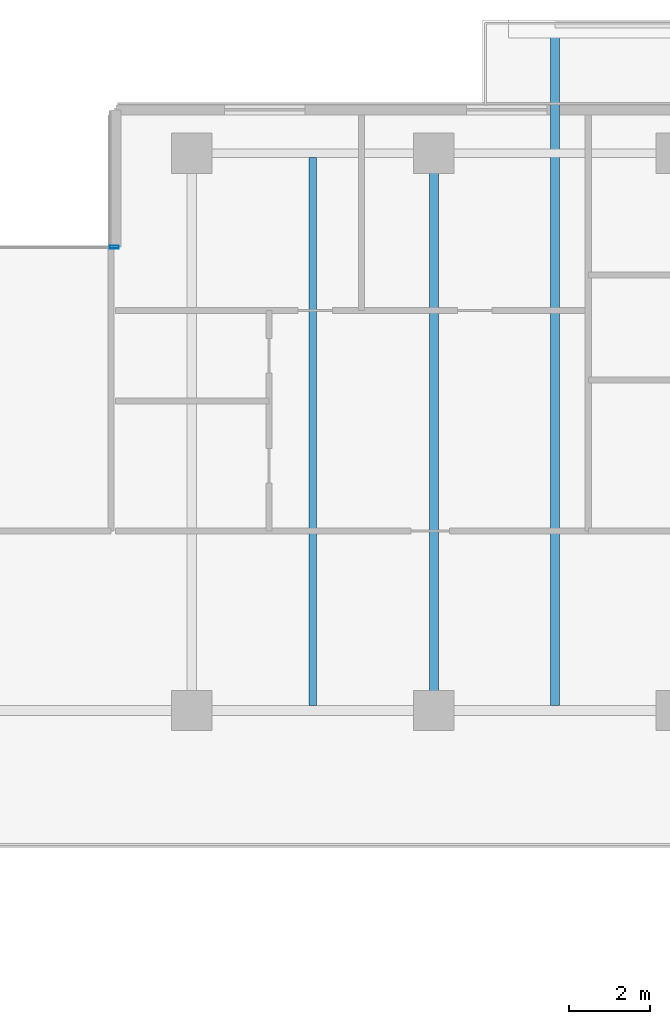
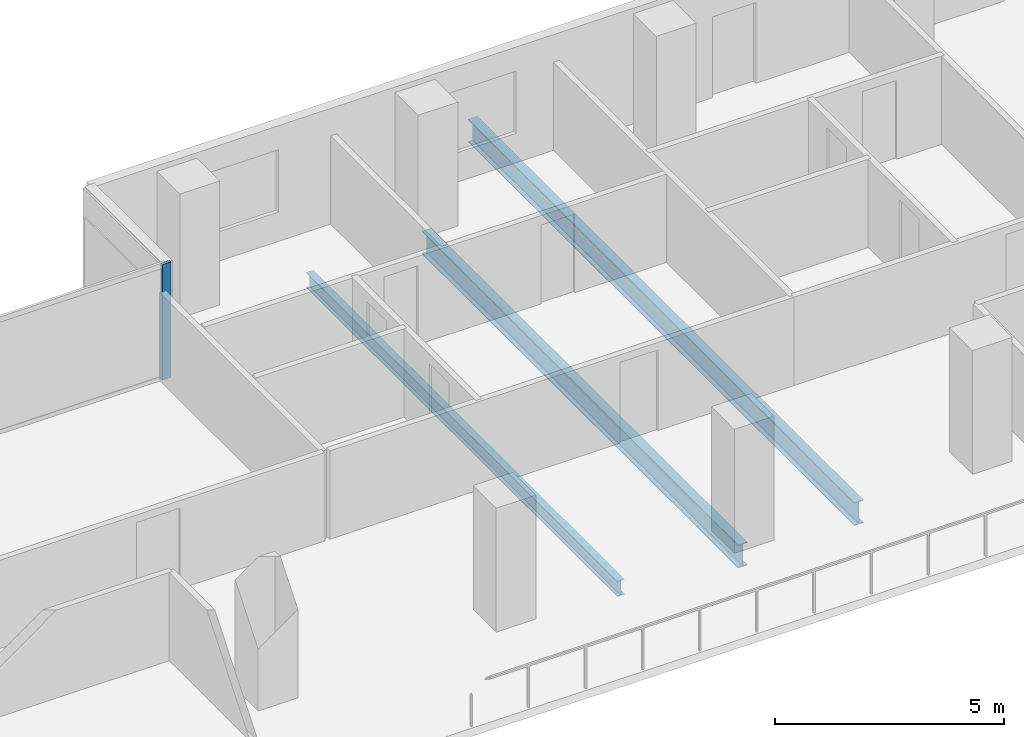
# One storey, part 8 of 23: 3 beams, 1 member, 1 element without a shape of its own.
"""IFC4 building model written with IfcOpenShell, lengths in metres."""

from ifc_helpers import new_model, si_unit, direction, frame, origin, origin_2d, place, context, subcontext, project, spatial, hollow_rectangle, i_section, extrude, material, layer, layer_set, material_profile, profile_set, type_object, element, aggregate, save


model = new_model("IFC4")

# Units and contexts
model_context = context("Model", 3, precision=1e-05, world=origin(), true_north=direction((0.0, 1.0)))
body_context = subcontext(model_context, "Body", "Model", "MODEL_VIEW")
ifc_project = project(units=[si_unit("LENGTHUNIT", "METRE"), si_unit("AREAUNIT", "SQUARE_METRE"), si_unit("VOLUMEUNIT", "CUBIC_METRE"), si_unit("PLANEANGLEUNIT", "RADIAN"), si_unit("MASSUNIT", "GRAM", prefix="KILO")], contexts=[model_context])

# Site, building, storey
site_placement = place(None, origin())
site = spatial("IfcSite", under=ifc_project, at=site_placement, CompositionType="ELEMENT")
building_placement = place(site_placement, origin())
building = spatial("IfcBuilding", under=site, at=building_placement, Name="Tanjung Sevakor Pilgrim Tower", CompositionType="ELEMENT")
storey_placement = place(building_placement, frame((0.0, 0.0, 88.77001953125)))
storey = spatial("IfcBuildingStorey", under=building, at=storey_placement, Name="L24", CompositionType="ELEMENT", Elevation=88.77001953125)

# Beams
ifc_material_1 = material(Name="Steel S355J2", Category="steel")
ifc_material_profile_1 = material_profile(ifc_material_1, i_section(OverallWidth=0.230224609375, OverallDepth=0.6171875, WebThickness=0.01318359375, FlangeThickness=0.022216796875, FilletRadius=0.0126953125, at=origin_2d()))
ifc_profile_set_1 = profile_set([ifc_material_profile_1], Name="Steel S355J2")
beam_type_1 = type_object("IfcBeamType", Name="BM-B-G3-UB_610x229x140", PredefinedType="BEAM", material=ifc_profile_set_1)
beam_1_placement = place(storey_placement, frame((60.0, 42.60009765625, -0.528564453125), z_axis=(0.0, 1.0, 0.0), x_axis=(-1.0, 0.0, 0.0)))
element("IfcBeam", 1, at=beam_1_placement, inside=storey, type_object=beam_type_1, Name="L24 MAIN Girder 017", PredefinedType="BEAM", context=body_context, shape_type="SweptSolid", body=[
    extrude(i_section(OverallWidth=0.230224609375, OverallDepth=0.6171875, WebThickness=0.01318359375, FlangeThickness=0.022216796875, FilletRadius=0.0126953125, at=origin_2d()), origin(), (0.0, 0.0, 1.0), 13.7998046875),
])
ifc_material_2 = material(Name="Steel S355J2", Category="steel")
ifc_material_profile_2 = material_profile(ifc_material_2, i_section(OverallWidth=0.22900390625, OverallDepth=0.6123046875, WebThickness=0.011962890625, FlangeThickness=0.01953125, FilletRadius=0.0126953125, at=origin_2d()))
ifc_profile_set_2 = profile_set([ifc_material_profile_2], Name="Steel S355J2")
beam_type_2 = type_object("IfcBeamType", Name="BM-B-G4-UB_610x229x125", PredefinedType="BEAM", material=ifc_profile_set_2)
beam_2_placement = place(storey_placement, frame((63.0, 42.727294921875, -0.526123046875), z_axis=(0.0, 1.0, 0.0), x_axis=(-1.0, 0.0, 0.0)))
element("IfcBeam", 2, at=beam_2_placement, inside=storey, type_object=beam_type_2, Name="L24 Balcony Cantilever Beam MAIN-N2-1", PredefinedType="BEAM", context=body_context, shape_type="SweptSolid", body=[
    extrude(i_section(OverallWidth=0.22900390625, OverallDepth=0.6123046875, WebThickness=0.011962890625, FlangeThickness=0.01953125, FilletRadius=0.0126953125, at=origin_2d()), origin(), (0.0, 0.0, 1.0), 16.852783203125),
])
ifc_material_3 = material(Name="Steel S355J2", Category="steel")
ifc_material_profile_3 = material_profile(ifc_material_3, i_section(OverallWidth=0.1787109375, OverallDepth=0.409423828125, WebThickness=0.0087890625, FlangeThickness=0.014404296875, FilletRadius=0.01025390625, at=origin_2d()))
ifc_profile_set_3 = profile_set([ifc_material_profile_3], Name="Steel S355J2")
beam_type_3 = type_object("IfcBeamType", Name="BM-B-J3-UB_406x178x67", PredefinedType="JOIST", material=ifc_profile_set_3)
beam_3_placement = place(storey_placement, frame((57.0, 42.727294921875, -0.4248046875), z_axis=(0.0, 1.0, 0.0), x_axis=(-1.0, 0.0, 0.0)))
element("IfcBeam", 3, at=beam_3_placement, inside=storey, type_object=beam_type_3, Name="L24 MAIN Joist 015", PredefinedType="JOIST", context=body_context, shape_type="SweptSolid", body=[
    extrude(i_section(OverallWidth=0.1787109375, OverallDepth=0.409423828125, WebThickness=0.0087890625, FlangeThickness=0.014404296875, FilletRadius=0.01025390625, at=origin_2d()), origin(), (0.0, 0.0, 1.0), 13.57275390625),
])

# Curtain wall, member
ifc_material_4 = material(Name="Aluminium 6063-T6 and Low-E Glass", Category="aluminium")
ifc_layer = layer(ifc_material_4, 0.179931640625)
ifc_layer_set = layer_set([ifc_layer], Name="CW-SYS-CLEFT")
curtain_wall_type = type_object("IfcCurtainWallType", Name="CW-SYS-CLEFT", PredefinedType="NOTDEFINED", material=ifc_layer_set)
curtain_wall_placement = place(storey_placement, origin())
curtain_wall = element("IfcCurtainWall", 4, at=curtain_wall_placement, inside=storey, type_object=curtain_wall_type, Name="L24 Curtain Wall CW-CLF-L24-10", PredefinedType="NOTDEFINED")
ifc_material_5 = material(Name="Aluminium 6063-T6", Category="aluminium")
ifc_material_profile_4 = material_profile(ifc_material_5, hollow_rectangle(XDim=0.074951171875, YDim=0.219970703125, WallThickness=0.0048828125, at=origin_2d()))
ifc_profile_set_4 = profile_set([ifc_material_profile_4], Name="Aluminium 6063-T6")
member_type = type_object("IfcMemberType", Name="TYPE-CWM-2", PredefinedType="MULLION", material=ifc_profile_set_4)
member_placement = place(storey_placement, frame((52.08740234375, 54.074951171875, 0.0), z_axis=(0.0, 0.0, 1.0), x_axis=(0.0, -1.0, 0.0)))
member = element("IfcMember", 5, at=member_placement, type_object=member_type, Name="CW-CLF mullion 1", PredefinedType="MULLION", context=body_context, shape_type="SweptSolid", body=[
    extrude(hollow_rectangle(XDim=0.074951171875, YDim=0.219970703125, WallThickness=0.0048828125, at=origin_2d()), origin(), (0.0, 0.0, 1.0), 3.080078125),
])
aggregate(curtain_wall, [member])

save(model, "model.ifc")
